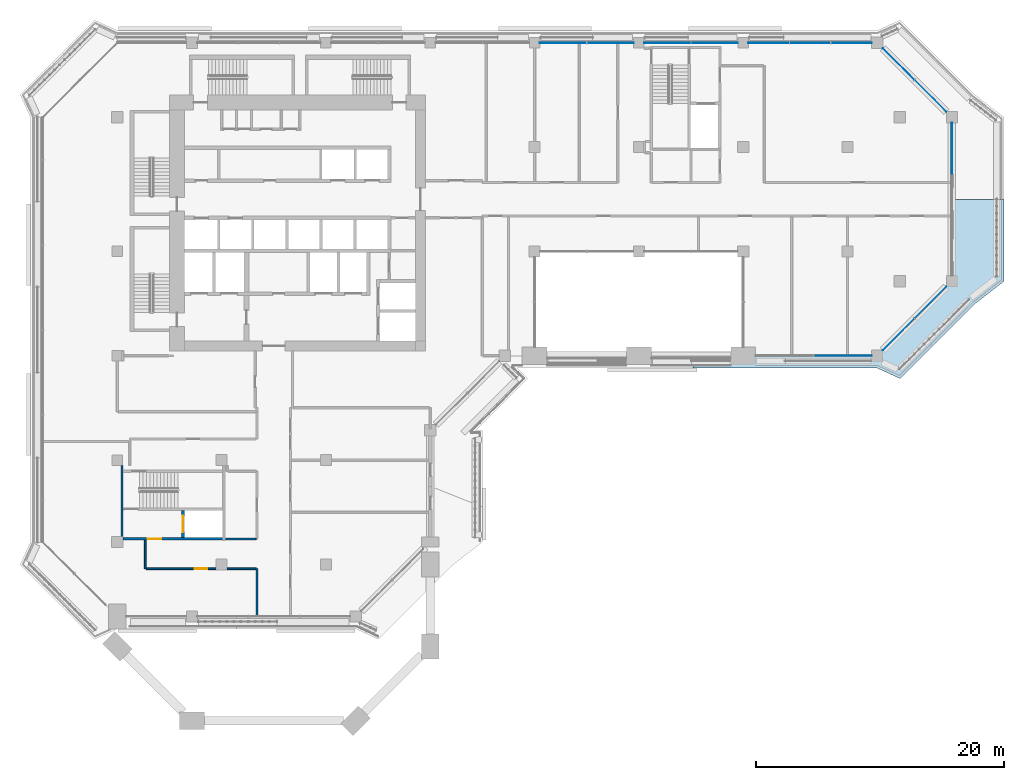
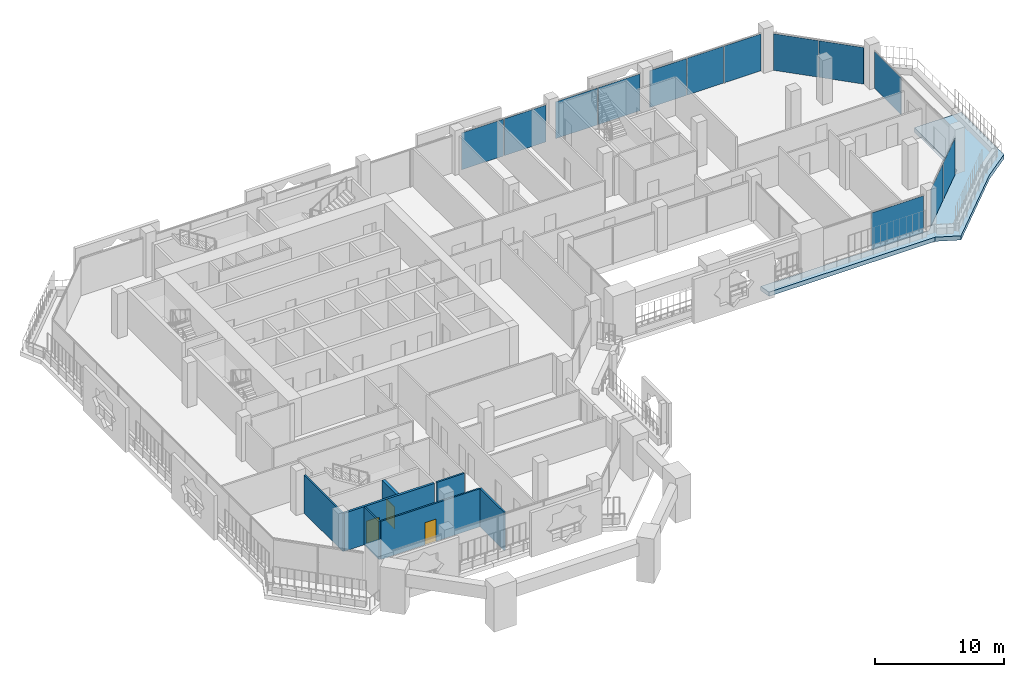
# One storey, part 11 of 23: 13 plates, 7 walls, 3 doors, 1 slab, 3 openings, 5 elements without a shape of their own.
"""IFC4 building model written with IfcOpenShell, lengths in metres."""

from ifc_helpers import new_model, si_unit, direction, frame, frame_2d, origin, origin_2d, place, context, subcontext, project, spatial, polyline, rectangle, outline, extrude, material, layer, layer_set, type_object, element, fill, aggregate, save


model = new_model("IFC4")

# Units and contexts
model_context = context("Model", 3, precision=1e-05, world=origin(), true_north=direction((0.0, 1.0)))
body_context = subcontext(model_context, "Body", "Model", "MODEL_VIEW")
ifc_project = project(units=[si_unit("LENGTHUNIT", "METRE"), si_unit("AREAUNIT", "SQUARE_METRE"), si_unit("VOLUMEUNIT", "CUBIC_METRE"), si_unit("PLANEANGLEUNIT", "RADIAN"), si_unit("MASSUNIT", "GRAM", prefix="KILO")], contexts=[model_context])

# Site, building, storey
site_placement = place(None, origin())
site = spatial("IfcSite", under=ifc_project, at=site_placement, CompositionType="ELEMENT")
building_placement = place(site_placement, origin())
building = spatial("IfcBuilding", under=site, at=building_placement, Name="Kawkab Arch Medical Tower", CompositionType="ELEMENT")
storey_placement = place(building_placement, frame((0.0, 0.0, 226.39990234375)))
storey = spatial("IfcBuildingStorey", under=building, at=storey_placement, Name="L52", CompositionType="ELEMENT", Elevation=226.39990234375)

# Curtain wall, plate
ifc_material_1 = material(Name="Bronze anodised aluminium curtain wall frame", Category="aluminium")
ifc_layer_1 = layer(ifc_material_1, 0.159912109375)
ifc_layer_set_1 = layer_set([ifc_layer_1], Name="Bronze anodised aluminium curtain wall frame")
curtain_wall_type_1 = type_object("IfcCurtainWallType", Name="CW1 ward curtain wall", PredefinedType="NOTDEFINED", material=ifc_layer_set_1)
placement = place(storey_placement, origin())
curtain_wall_1 = element("IfcCurtainWall", 1, at=placement, inside=storey, type_object=curtain_wall_type_1, Name="CW1 Ward curtain wall R05", PredefinedType="NOTDEFINED")
ifc_material_2 = material(Name="Tinted insulating glass, bronze low-e coating", Category="glass")
ifc_layer_2 = layer(ifc_material_2, 0.031982421875)
ifc_layer_set_2 = layer_set([ifc_layer_2], Name="Tinted insulating glass, bronze low-e coating")
plate_type_1 = type_object("IfcPlateType", Name="CW1 glazing unit 32", PredefinedType="CURTAIN_PANEL", material=ifc_layer_set_2)
plate_1_placement = place(storey_placement, frame((58.427490234375, -25.199951171875, 0.0), z_axis=(0.0, 0.0, 1.0), x_axis=(1.0, 0.0, 0.0)))
plate_1 = element("IfcPlate", 2, at=plate_1_placement, type_object=plate_type_1, Name="CW1 glazing unit 1.2", PredefinedType="CURTAIN_PANEL", context=body_context, shape_type="SweptSolid", body=[
    extrude(rectangle(XDim=4.64501953125, YDim=0.031982421875, at=origin_2d()), origin(), (0.0, 0.0, 1.0), 3.47998046875),
])
aggregate(curtain_wall_1, [plate_1])

curtain_wall_2 = element("IfcCurtainWall", 3, at=placement, inside=storey, type_object=curtain_wall_type_1, Name="CW1 Ward curtain wall R07", PredefinedType="NOTDEFINED")
plate_2_placement = place(storey_placement, frame((67.199951171875, -8.5, 0.0), z_axis=(0.0, 0.0, 1.0), x_axis=(0.0, 1.0, 0.0)))
plate_2 = element("IfcPlate", 4, at=plate_2_placement, type_object=plate_type_1, Name="CW1 glazing unit 1.3", PredefinedType="CURTAIN_PANEL", context=body_context, shape_type="SweptSolid", body=[
    extrude(rectangle(XDim=4.10009765625, YDim=0.031982421875, at=origin_2d()), origin(), (0.0, 0.0, 1.0), 3.47998046875),
])
aggregate(curtain_wall_2, [plate_2])

# Curtain wall, plates
curtain_wall_3 = element("IfcCurtainWall", 5, at=placement, inside=storey, type_object=curtain_wall_type_1, Name="CW1 Ward curtain wall R09", PredefinedType="NOTDEFINED")
plate_3_placement = place(storey_placement, frame((59.11083984375, 0.0, 0.0), z_axis=(0.0, 0.0, 1.0), x_axis=(-1.0, 0.0, 0.0)))
plate_3 = element("IfcPlate", 6, at=plate_3_placement, type_object=plate_type_1, Name="CW1 glazing unit 1.1", PredefinedType="CURTAIN_PANEL", context=body_context, shape_type="SweptSolid", body=[
    extrude(rectangle(XDim=3.2783203125, YDim=0.031982421875, at=origin_2d()), origin(), (0.0, 0.0, 1.0), 3.47998046875),
])
plate_4_placement = place(storey_placement, frame((55.78759765625, 0.0, 0.0), z_axis=(0.0, 0.0, 1.0), x_axis=(-1.0, 0.0, 0.0)))
plate_4 = element("IfcPlate", 7, at=plate_4_placement, type_object=plate_type_1, Name="CW1 glazing unit 1.2", PredefinedType="CURTAIN_PANEL", context=body_context, shape_type="SweptSolid", body=[
    extrude(rectangle(XDim=3.248291015625, YDim=0.031982421875, at=origin_2d()), origin(), (0.0, 0.0, 1.0), 3.47998046875),
])
plate_5_placement = place(storey_placement, frame((52.464111328125, 0.0, 0.0), z_axis=(0.0, 0.0, 1.0), x_axis=(-1.0, 0.0, 0.0)))
plate_5 = element("IfcPlate", 8, at=plate_5_placement, type_object=plate_type_1, Name="CW1 glazing unit 1.3", PredefinedType="CURTAIN_PANEL", context=body_context, shape_type="SweptSolid", body=[
    extrude(rectangle(XDim=3.2783203125, YDim=0.031982421875, at=origin_2d()), origin(), (0.0, 0.0, 1.0), 3.47998046875),
])
plate_6_placement = place(storey_placement, frame((48.1025390625, 0.0, 0.0), z_axis=(0.0, 0.0, 1.0), x_axis=(-1.0, 0.0, 0.0)))
plate_6 = element("IfcPlate", 9, at=plate_6_placement, type_object=plate_type_1, Name="CW1 glazing unit 2.1", PredefinedType="CURTAIN_PANEL", context=body_context, shape_type="SweptSolid", body=[
    extrude(rectangle(XDim=3.7451171875, YDim=0.031982421875, at=origin_2d()), origin(), (0.0, 0.0, 1.0), 3.47998046875),
])
plate_7_placement = place(storey_placement, frame((44.297607421875, 0.0, 0.0), z_axis=(0.0, 0.0, 1.0), x_axis=(-1.0, 0.0, 0.0)))
plate_7 = element("IfcPlate", 10, at=plate_7_placement, type_object=plate_type_1, Name="CW1 glazing unit 2.2", PredefinedType="CURTAIN_PANEL", context=body_context, shape_type="SweptSolid", body=[
    extrude(rectangle(XDim=3.7451171875, YDim=0.031982421875, at=origin_2d()), origin(), (0.0, 0.0, 1.0), 3.47998046875),
])
plate_8_placement = place(storey_placement, frame((39.702392578125, 0.0, 0.0), z_axis=(0.0, 0.0, 1.0), x_axis=(-1.0, 0.0, 0.0)))
plate_8 = element("IfcPlate", 11, at=plate_8_placement, type_object=plate_type_1, Name="CW1 glazing unit 3.1", PredefinedType="CURTAIN_PANEL", context=body_context, shape_type="SweptSolid", body=[
    extrude(rectangle(XDim=3.7451171875, YDim=0.031982421875, at=origin_2d()), origin(), (0.0, 0.0, 1.0), 3.47998046875),
])
plate_9_placement = place(storey_placement, frame((35.8974609375, 0.0, 0.0), z_axis=(0.0, 0.0, 1.0), x_axis=(-1.0, 0.0, 0.0)))
plate_9 = element("IfcPlate", 12, at=plate_9_placement, type_object=plate_type_1, Name="CW1 glazing unit 3.2", PredefinedType="CURTAIN_PANEL", context=body_context, shape_type="SweptSolid", body=[
    extrude(rectangle(XDim=3.7451171875, YDim=0.031982421875, at=origin_2d()), origin(), (0.0, 0.0, 1.0), 3.47998046875),
])
aggregate(curtain_wall_3, [plate_3, plate_4, plate_5, plate_6, plate_7, plate_8, plate_9])

ifc_material_3 = material(Name="Bronze anodised aluminium curtain wall frame", Category="aluminium")
ifc_layer_3 = layer(ifc_material_3, 0.159912109375)
ifc_layer_set_3 = layer_set([ifc_layer_3], Name="Bronze anodised aluminium curtain wall frame")
curtain_wall_type_2 = type_object("IfcCurtainWallType", Name="CW2 chamfer curtain wall", PredefinedType="NOTDEFINED", material=ifc_layer_set_3)
curtain_wall_4 = element("IfcCurtainWall", 13, at=placement, inside=storey, type_object=curtain_wall_type_2, Name="CW2 Chamfer curtain wall R06", PredefinedType="NOTDEFINED")
ifc_material_4 = material(Name="Tinted insulating glass, bronze low-e coating", Category="glass")
ifc_layer_4 = layer(ifc_material_4, 0.031982421875)
ifc_layer_set_4 = layer_set([ifc_layer_4], Name="Tinted insulating glass, bronze low-e coating")
plate_type_2 = type_object("IfcPlateType", Name="CW2 glazing unit 32", PredefinedType="CURTAIN_PANEL", material=ifc_layer_set_4)
plate_10_placement = place(storey_placement, frame((62.914306640625, -23.485595703125, 0.0), z_axis=(0.0, 0.0, 1.0), x_axis=(0.707106781187, 0.707106781187, 0.0)))
plate_10 = element("IfcPlate", 14, at=plate_10_placement, type_object=plate_type_2, Name="CW2 glazing unit 1.1", PredefinedType="CURTAIN_PANEL", context=body_context, shape_type="SweptSolid", body=[
    extrude(rectangle(XDim=3.576171875, YDim=0.031982421875, at=origin_2d()), origin(), (0.0, 0.0, 1.0), 3.4599609375),
])
plate_11_placement = place(storey_placement, frame((65.485595703125, -20.914306640625, 0.0), z_axis=(0.0, 0.0, 1.0), x_axis=(0.707106781187, 0.707106781187, 0.0)))
plate_11 = element("IfcPlate", 15, at=plate_11_placement, type_object=plate_type_2, Name="CW2 glazing unit 1.2", PredefinedType="CURTAIN_PANEL", context=body_context, shape_type="SweptSolid", body=[
    extrude(rectangle(XDim=3.576171875, YDim=0.031982421875, at=origin_2d()), origin(), (0.0, 0.0, 1.0), 3.4599609375),
])
aggregate(curtain_wall_4, [plate_10, plate_11])

curtain_wall_5 = element("IfcCurtainWall", 16, at=placement, inside=storey, type_object=curtain_wall_type_2, Name="CW2 Chamfer curtain wall R08", PredefinedType="NOTDEFINED")
plate_12_placement = place(storey_placement, frame((65.485595703125, -4.28564453125, 0.0), z_axis=(0.0, 0.0, 1.0), x_axis=(-0.707106781187, 0.707106781187, 0.0)))
plate_12 = element("IfcPlate", 17, at=plate_12_placement, type_object=plate_type_2, Name="CW2 glazing unit 1.1", PredefinedType="CURTAIN_PANEL", context=body_context, shape_type="SweptSolid", body=[
    extrude(rectangle(XDim=3.576171875, YDim=0.031982421875, at=origin_2d()), origin(), (0.0, 0.0, 1.0), 3.4599609375),
])
plate_13_placement = place(storey_placement, frame((62.914306640625, -1.71435546875, 0.0), z_axis=(0.0, 0.0, 1.0), x_axis=(-0.707106781187, 0.707106781187, 0.0)))
plate_13 = element("IfcPlate", 18, at=plate_13_placement, type_object=plate_type_2, Name="CW2 glazing unit 1.2", PredefinedType="CURTAIN_PANEL", context=body_context, shape_type="SweptSolid", body=[
    extrude(rectangle(XDim=3.576171875, YDim=0.031982421875, at=origin_2d()), origin(), (0.0, 0.0, 1.0), 3.4599609375),
])
aggregate(curtain_wall_5, [plate_12, plate_13])

# Slab
ifc_material_5 = material(Name="Concrete C40/50", Category="concrete")
ifc_layer_5 = layer(ifc_material_5, 0.39990234375)
ifc_layer_set_5 = layer_set([ifc_layer_5], Name="Concrete C40/50")
slab_type = type_object("IfcSlabType", Name="Loggia slab 400", PredefinedType="FLOOR", material=ifc_layer_set_5)
slab_placement = place(storey_placement, frame((0.0, 0.0, -0.39990234375)))
element("IfcSlab", 19, at=slab_placement, inside=storey, type_object=slab_type, Name="Loggia slab L52.4", PredefinedType="FLOOR", context=body_context, shape_type="SweptSolid", body=[
    extrude(outline(polyline([(69.0380859375, -21.0380859375), (63.0380859375, -27.0380859375), (61.199951171875, -26.199951171875), (46.366943359375, -26.199951171875), (46.199951171875, -25.199951171875), (61.199951171875, -25.199951171875), (67.199951171875, -19.199951171875), (67.200927734375, -19.199951171875), (67.200927734375, -12.60009765625), (71.39990234375, -12.60009765625), (71.39990234375, -19.199951171875), (69.0380859375, -21.0380859375)])), origin(), (0.0, 0.0, 1.0), 0.39990234375),
])

# Wall, opening, door
ifc_material_6 = material(Name="Concrete C60/75", Category="concrete")
ifc_layer_6 = layer(ifc_material_6, 0.25)
ifc_layer_set_6 = layer_set([ifc_layer_6], Name="Concrete C60/75")
wall_type_1 = type_object("IfcWallType", Name="Core shear wall 250 C60/75", PredefinedType="SHEAR", material=ifc_layer_set_6)
wall_1_placement = place(storey_placement, frame((5.300048828125, -39.85009765625, 0.0), z_axis=(0.0, 0.0, 1.0), x_axis=(0.0, 1.0, 0.0)))
wall_1 = element("IfcWall", 20, at=wall_1_placement, inside=storey, type_object=wall_type_1, Name="L52 core shear wall", PredefinedType="SHEAR", context=body_context, shape_type="SweptSolid", body=[
    extrude(rectangle(XDim=2.2001953125, YDim=0.25, at=frame_2d((1.10009765625, 0.0))), origin(), (0.0, 0.0, 1.0), 3.60009765625),
])
opening_1_placement = place(wall_1_placement, frame((0.449951171875, 0.0, 0.0)))
opening_1 = element("IfcOpeningElement", 21, at=opening_1_placement, cuts=wall_1, Name="Opening LD2", PredefinedType="OPENING", context=body_context, shape_type="SweptSolid", body=[
    extrude(rectangle(XDim=1.300048828125, YDim=2.10009765625, at=frame_2d((0.64990234375, 1.050048828125))), frame((0.0, 0.135009765625, 0.0), z_axis=(0.0, -1.0, 0.0), x_axis=(1.0, 0.0, 0.0)), (0.0, 0.0, 1.0), 0.27001953125),
])
ifc_material_7 = material(Name="Stainless steel lift door leaf", Category="steel")
door_type_1 = type_object("IfcDoorType", Name="Lift landing door 1300", OperationType="DOUBLE_DOOR_SLIDING", PredefinedType="DOOR", material=ifc_material_7)
door_1_placement = place(opening_1_placement, origin())
door_1 = element("IfcDoor", 22, at=door_1_placement, inside=storey, type_object=door_type_1, Name="L52 Lift landing door SV2", OperationType="DOUBLE_DOOR_SLIDING", OverallHeight=2.10009765625, OverallWidth=1.300048828125, PredefinedType="DOOR", context=body_context, shape_type="SweptSolid", body=[
    extrude(rectangle(XDim=1.300048828125, YDim=2.10009765625, at=frame_2d((0.64990234375, 1.050048828125))), frame((0.0, 0.02490234375, 0.0), z_axis=(0.0, -1.0, 0.0), x_axis=(1.0, 0.0, 0.0)), (0.0, 0.0, 1.0), 0.050048828125),
])
fill(opening_1, door_1)

ifc_material_8 = material(Name="Gypsum board partition on steel studs, mineral wool", Category="steel")
ifc_layer_7 = layer(ifc_material_8, 0.14990234375)
ifc_layer_set_7 = layer_set([ifc_layer_7], Name="Gypsum board partition on steel studs, mineral wool")
wall_type_2 = type_object("IfcWallType", Name="Partition 150", PredefinedType="PARTITIONING", material=ifc_layer_set_7)
wall_2_placement = place(storey_placement, frame((2.326904296875, -42.35009765625, 0.0), z_axis=(0.0, 0.0, 1.0), x_axis=(1.0, 0.0, 0.0)))
wall_2 = element("IfcWall", 23, at=wall_2_placement, inside=storey, type_object=wall_type_2, Name="Partition 150 w003", PredefinedType="PARTITIONING", context=body_context, shape_type="SweptSolid", body=[
    extrude(rectangle(XDim=8.84814453125, YDim=0.14990234375, at=frame_2d((4.424072265625, 0.0))), origin(), (0.0, 0.0, 1.0), 3.60009765625),
])
opening_2_placement = place(wall_2_placement, frame((3.924072265625, 0.0, 0.0)))
opening_2 = element("IfcOpeningElement", 24, at=opening_2_placement, cuts=wall_2, Name="Opening B52-015", PredefinedType="OPENING", context=body_context, shape_type="SweptSolid", body=[
    extrude(rectangle(XDim=1.0, YDim=2.10009765625, at=frame_2d((0.5, 1.050048828125))), frame((0.0, 0.0849609375, 0.0), z_axis=(0.0, -1.0, 0.0), x_axis=(1.0, 0.0, 0.0)), (0.0, 0.0, 1.0), 0.169921875),
])
ifc_material_9 = material(Name="Hollow metal door leaf")
door_type_2 = type_object("IfcDoorType", Name="Single door 1000x2100 FD30S", OperationType="NOTDEFINED", PredefinedType="DOOR", material=ifc_material_9)
door_2_placement = place(opening_2_placement, origin())
door_2 = element("IfcDoor", 25, at=door_2_placement, inside=storey, type_object=door_type_2, Name="Door B52-015", OperationType="SINGLE_SWING_RIGHT", OverallHeight=2.10009765625, OverallWidth=1.0, PredefinedType="DOOR", context=body_context, shape_type="SweptSolid", body=[
    extrude(rectangle(XDim=1.0, YDim=2.10009765625, at=frame_2d((0.5, 1.050048828125))), frame((0.0, 0.02490234375, 0.0), z_axis=(0.0, -1.0, 0.0), x_axis=(1.0, 0.0, 0.0)), (0.0, 0.0, 1.0), 0.050048828125),
])
fill(opening_2, door_2)

# Walls
wall_3_placement = place(storey_placement, frame((8.72998046875, -39.949951171875, 0.0), z_axis=(0.0, 0.0, 1.0), x_axis=(1.0, 0.0, 0.0)))
element("IfcWall", 26, at=wall_3_placement, inside=storey, type_object=wall_type_2, Name="Partition 150 w004", PredefinedType="PARTITIONING", context=body_context, shape_type="SweptSolid", body=[
    extrude(rectangle(XDim=2.445068359375, YDim=0.14990234375, at=frame_2d((1.22265625, 0.0))), origin(), (0.0, 0.0, 1.0), 3.60009765625),
])
wall_4_placement = place(storey_placement, frame((2.25, -42.346923828125, 0.0), z_axis=(0.0, 0.0, 1.0), x_axis=(0.0, 1.0, 0.0)))
element("IfcWall", 27, at=wall_4_placement, inside=storey, type_object=wall_type_2, Name="Partition 150 w027", PredefinedType="PARTITIONING", context=body_context, shape_type="SweptSolid", body=[
    extrude(rectangle(XDim=2.296875, YDim=0.14990234375, at=frame_2d((1.1484375, 0.0))), origin(), (0.0, 0.0, 1.0), 3.60009765625),
])
wall_5_placement = place(storey_placement, frame((11.25, -46.1201171875, 0.0), z_axis=(0.0, 0.0, 1.0), x_axis=(0.0, 1.0, 0.0)))
element("IfcWall", 28, at=wall_5_placement, inside=storey, type_object=wall_type_2, Name="Partition 150 w030", PredefinedType="PARTITIONING", context=body_context, shape_type="SweptSolid", body=[
    extrude(rectangle(XDim=3.77001953125, YDim=0.14990234375, at=frame_2d((1.885009765625, 0.0))), origin(), (0.0, 0.0, 1.0), 3.60009765625),
])
ifc_material_10 = material(Name="Concrete C50/60", Category="concrete")
ifc_layer_8 = layer(ifc_material_10, 0.14990234375)
ifc_layer_set_8 = layer_set([ifc_layer_8], Name="Concrete C50/60")
wall_type_3 = type_object("IfcWallType", Name="Stair enclosure wall 150 C50/60", PredefinedType="SHEAR", material=ifc_layer_set_8)
wall_6_placement = place(storey_placement, frame((0.375, -40.050048828125, 0.0), z_axis=(0.0, 0.0, 1.0), x_axis=(0.0, 1.0, 0.0)))
element("IfcWall", 29, at=wall_6_placement, inside=storey, type_object=wall_type_3, Name="L52 stair enclosure wall", PredefinedType="SHEAR", context=body_context, shape_type="SweptSolid", body=[
    extrude(rectangle(XDim=6.025146484375, YDim=0.14990234375, at=frame_2d((3.0126953125, 0.0))), origin(), (0.0, 0.0, 1.0), 3.60009765625),
])

# Wall, opening, door
ifc_material_11 = material(Name="Concrete C50/60", Category="concrete")
ifc_layer_9 = layer(ifc_material_11, 0.199951171875)
ifc_layer_set_9 = layer_set([ifc_layer_9], Name="Concrete C50/60")
wall_type_4 = type_object("IfcWallType", Name="Stair enclosure wall 200 C50/60", PredefinedType="SHEAR", material=ifc_layer_set_9)
wall_7_placement = place(storey_placement, frame((0.449951171875, -39.949951171875, 0.0), z_axis=(0.0, 0.0, 1.0), x_axis=(1.0, 0.0, 0.0)))
wall_7 = element("IfcWall", 30, at=wall_7_placement, inside=storey, type_object=wall_type_4, Name="L52 stair enclosure wall", PredefinedType="SHEAR", context=body_context, shape_type="SweptSolid", body=[
    extrude(rectangle(XDim=8.050048828125, YDim=0.199951171875, at=frame_2d((4.02490234375, 0.0))), origin(), (0.0, 0.0, 1.0), 3.60009765625),
])
opening_3_placement = place(wall_7_placement, frame((2.0, 0.0, 0.0)))
opening_3 = element("IfcOpeningElement", 31, at=opening_3_placement, cuts=wall_7, Name="Opening FD", PredefinedType="OPENING", context=body_context, shape_type="SweptSolid", body=[
    extrude(rectangle(XDim=1.10009765625, YDim=2.10009765625, at=frame_2d((0.550048828125, 1.050048828125))), frame((0.0, 0.10986328125, 0.0), z_axis=(0.0, -1.0, 0.0), x_axis=(1.0, 0.0, 0.0)), (0.0, 0.0, 1.0), 0.219970703125),
])
ifc_material_12 = material(Name="Hollow metal fire door leaf")
door_type_3 = type_object("IfcDoorType", Name="Firefighting lobby door 1100", OperationType="SINGLE_SWING_LEFT", PredefinedType="DOOR", material=ifc_material_12)
door_3_placement = place(opening_3_placement, origin())
door_3 = element("IfcDoor", 32, at=door_3_placement, inside=storey, type_object=door_type_3, Name="L52 Service lift lobby door SV2", OperationType="SINGLE_SWING_LEFT", OverallHeight=2.10009765625, OverallWidth=1.10009765625, PredefinedType="DOOR", context=body_context, shape_type="SweptSolid", body=[
    extrude(rectangle(XDim=1.10009765625, YDim=2.10009765625, at=frame_2d((0.550048828125, 1.050048828125))), frame((0.0, 0.02490234375, 0.0), z_axis=(0.0, -1.0, 0.0), x_axis=(1.0, 0.0, 0.0)), (0.0, 0.0, 1.0), 0.050048828125),
])
fill(opening_3, door_3)

save(model, "model.ifc")
